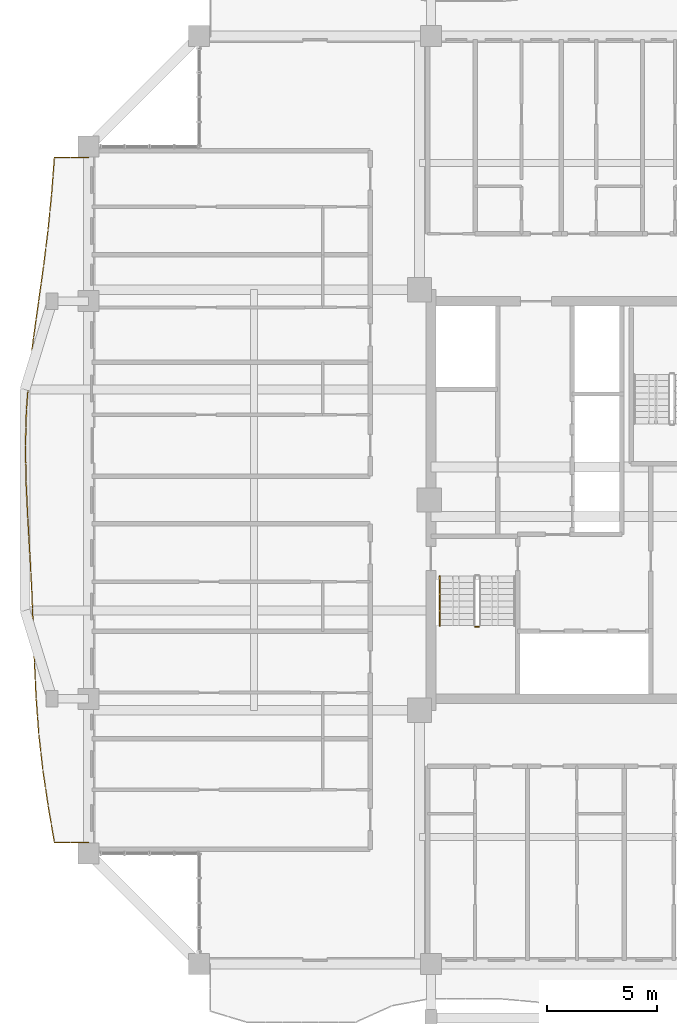
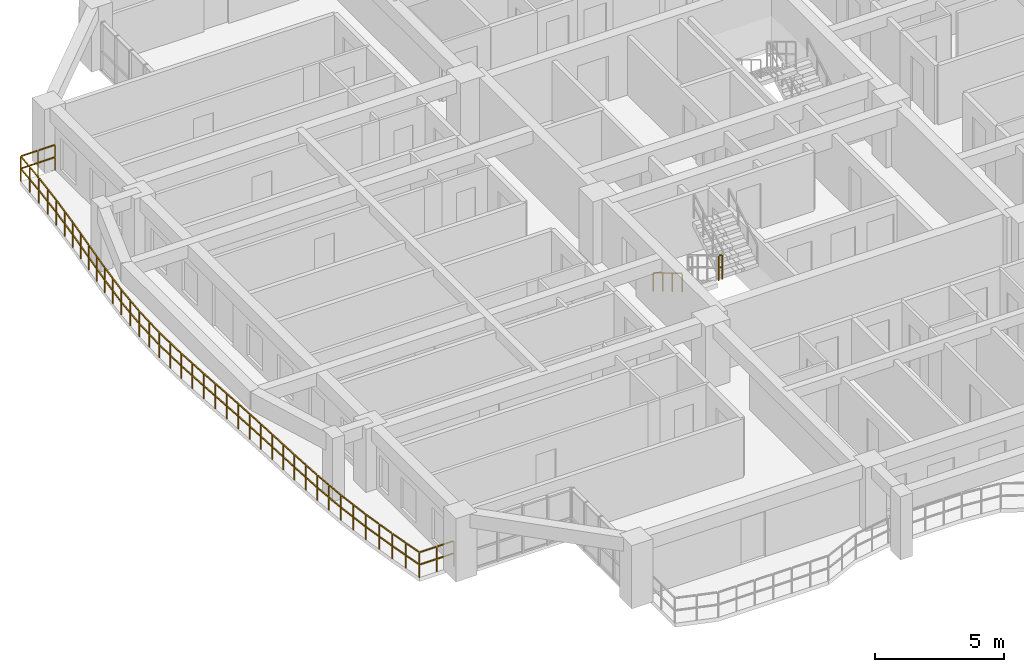
# One storey, part 21 of 24: 3 railings.
"""IFC4 building model written with IfcOpenShell, lengths in metres."""

import ifcopenshell
import ifcopenshell.guid

model = None  # the IFC model being written
_history = None  # IfcOwnerHistory: only IFC2X3 demands one
_inside = {}  # id of a spatial element -> (the spatial element, [elements in it])
_under = {}  # id of a project, library or spatial element -> (it, [spatial elements below it])
_declared = {}  # id of a project -> (the project, [libraries it declares])
_typed = {}  # id of a type object -> (the type object, [elements of that type])
_made_of = {}  # id of a material, layer set ... -> (it, [elements and type objects made of it])


def new_model(schema):
    """Start an empty IFC model of exactly this schema.

    Asked for "IFC4X3", IfcOpenShell would pick the latest addendum, in which some entities
    have other attributes; the version numbers below select the first issue.
    IFC2X3 requires an IfcOwnerHistory on every rooted entity: one is made here for all.
    """
    global model, _history
    if schema == "IFC4X3":
        model = ifcopenshell.file(schema_version=(4, 3, 0, 0))
    else:
        model = ifcopenshell.file(schema=schema)
    _inside.clear()
    _under.clear()
    _declared.clear()
    _typed.clear()
    _made_of.clear()
    _history = None
    if model.schema == "IFC2X3":
        org = make("IfcOrganization", Name="unknown")
        user = make(
            "IfcPersonAndOrganization",
            ThePerson=make("IfcPerson", FamilyName="unknown"),
            TheOrganization=org,
        )
        app = make(
            "IfcApplication",
            ApplicationDeveloper=org,
            Version="unknown",
            ApplicationFullName="unknown",
            ApplicationIdentifier="unknown",
        )
        _history = make(
            "IfcOwnerHistory",
            OwningUser=user,
            OwningApplication=app,
            ChangeAction="ADDED",
            CreationDate=0,
        )
    return model


def make(cls, **values):
    """One entity of the class cls with the attributes given. An attribute that is None is left unset."""
    return model.create_entity(
        cls, **{name: value for name, value in values.items() if value is not None}
    )


def rooted(cls, **values):
    """An entity with a GlobalId (a new one), such as an element, a storey or a relation."""
    return make(cls, GlobalId=ifcopenshell.guid.new(), OwnerHistory=_history, **values)


def si_unit(unit_type, name, prefix=None):
    """IfcSIUnit, for example si_unit("LENGTHUNIT", "METRE", prefix="MILLI")."""
    return make("IfcSIUnit", UnitType=unit_type, Prefix=prefix, Name=name)


def assignment(units):
    """IfcUnitAssignment: the units of a project."""
    return None if units is None else make("IfcUnitAssignment", Units=units)


def point(xyz):
    """IfcCartesianPoint."""
    return None if xyz is None else make("IfcCartesianPoint", Coordinates=xyz)


def direction(xyz):
    """IfcDirection."""
    return None if xyz is None else make("IfcDirection", DirectionRatios=xyz)


def frame(location, z_axis=None, x_axis=None):
    """IfcAxis2Placement3D, a coordinate frame: its origin and axes. An axis left out is left unset."""
    return make(
        "IfcAxis2Placement3D",
        Location=point(location),
        Axis=direction(z_axis),
        RefDirection=direction(x_axis),
    )


def frame_2d(location, x_axis=None):
    """IfcAxis2Placement2D, a coordinate frame in the plane: its origin and x axis."""
    return make(
        "IfcAxis2Placement2D", Location=point(location), RefDirection=direction(x_axis)
    )


def origin():
    """The frame at (0, 0, 0) with its axes left unset."""
    return frame((0.0, 0.0, 0.0))


def origin_2d():
    """The frame at (0, 0) in the plane with its x axis left unset."""
    return frame_2d((0.0, 0.0))


def place(relative_to, where):
    """IfcLocalPlacement: puts the frame where relative to a parent placement (None: the world)."""
    return make(
        "IfcLocalPlacement", PlacementRelTo=relative_to, RelativePlacement=where
    )


def context(
    kind, dimensions, precision=None, world=None, true_north=None, identifier=None
):
    """IfcGeometricRepresentationContext, for example the 3D "Model" context."""
    return make(
        "IfcGeometricRepresentationContext",
        ContextIdentifier=identifier,
        ContextType=kind,
        CoordinateSpaceDimension=dimensions,
        Precision=precision,
        WorldCoordinateSystem=world,
        TrueNorth=true_north,
    )


def subcontext(parent, identifier, kind, view, scale=None):
    """IfcGeometricRepresentationSubContext, for example "Body" below "Model"."""
    return make(
        "IfcGeometricRepresentationSubContext",
        ContextIdentifier=identifier,
        ContextType=kind,
        ParentContext=parent,
        TargetScale=scale,
        TargetView=view,
    )


def project(units=None, contexts=None):
    """IfcProject with its units and contexts."""
    return rooted(
        "IfcProject",
        Name="project",
        RepresentationContexts=contexts,
        UnitsInContext=assignment(units),
    )


def spatial(cls, under=None, at=None, **own):
    """A site, building, storey or space (cls), placed at a placement, below another one or the project."""
    s = rooted(cls, ObjectPlacement=at, **own)
    if under is not None:
        _under.setdefault(under.id(), (under, []))[1].append(s)
    return s


def profile(cls, at=None, kind="AREA", **sizes):
    """A parametric profile (cls). Its sizes go by their IFC names, for example OverallWidth=200.0."""
    return make(cls, ProfileType=kind, Position=at, **sizes)


def rectangle(**sizes):
    """IfcRectangleProfileDef."""
    return profile("IfcRectangleProfileDef", **sizes)


def extrude(swept, where, along, depth):
    """IfcExtrudedAreaSolid: the profile swept, set in the frame where, extruded along a direction by depth."""
    return make(
        "IfcExtrudedAreaSolid",
        SweptArea=swept,
        Position=where,
        ExtrudedDirection=direction(along),
        Depth=depth,
    )


def shape(context_of_items, identifier, shape_type, items):
    """IfcShapeRepresentation: the items that make up one representation, for example the "Body"."""
    return make(
        "IfcShapeRepresentation",
        ContextOfItems=context_of_items,
        RepresentationIdentifier=identifier,
        RepresentationType=shape_type,
        Items=items,
    )


def material(Name=None, Category=None):
    """IfcMaterial."""
    return make("IfcMaterial", Name=Name, Category=Category)


def made_of(thing, what):
    """Note that an element or type object is made of a material, layer set ...; save() writes the relation."""
    if what is not None:
        _made_of.setdefault(what.id(), (what, []))[1].append(thing)
    return thing


def type_object(cls, material=None, **own):
    """A type object (cls), such as IfcWallType, which elements share."""
    return made_of(rooted(cls, **own), material)


def element(
    cls,
    number,
    at=None,
    inside=None,
    cuts=None,
    type_object=None,
    material=None,
    context=None,
    identifier="Body",
    shape_type=None,
    held_by="IfcProductDefinitionShape",
    body=None,
    shapes=None,
    **own,
):
    """One element of the class cls, such as IfcWall. Its Tag is "e" and its number.

    at: its placement. inside: the storey or other place that contains it. cuts: it is an
    opening in that element (IfcRelVoidsElement). A single representation is given by context,
    identifier, shape_type and body (its items); several are given by shapes. held_by: the class
    of the entity that holds the representations. save() writes the other relations.
    """
    e = rooted(cls, Tag="e%d" % number, ObjectPlacement=at, **own)
    if body is not None:
        shapes = [shape(context, identifier, shape_type, body)]
    if shapes is not None:
        e.Representation = make(held_by, Representations=shapes)
    if inside is not None:
        _inside.setdefault(inside.id(), (inside, []))[1].append(e)
    if cuts is not None:
        rooted(
            "IfcRelVoidsElement", RelatingBuildingElement=cuts, RelatedOpeningElement=e
        )
    if type_object is not None:
        _typed.setdefault(type_object.id(), (type_object, []))[1].append(e)
    return made_of(e, material)


def aggregate(whole, parts):
    """IfcRelAggregates: a whole, such as a stair, and the parts it consists of."""
    return rooted("IfcRelAggregates", RelatingObject=whole, RelatedObjects=parts)


def save(model, path):
    """Write the relations noted so far, then the file.

    IfcRelAggregates (storeys below a building ...), IfcRelContainedInSpatialStructure (elements
    in a storey), IfcRelDefinesByType, IfcRelAssociatesMaterial and IfcRelDeclares: one each for
    every whole, place, type object, material and project.
    """
    for whole, parts in _under.values():
        aggregate(whole, parts)
    for where, things in _inside.values():
        rooted(
            "IfcRelContainedInSpatialStructure",
            RelatedElements=things,
            RelatingStructure=where,
        )
    for kind, things in _typed.values():
        rooted("IfcRelDefinesByType", RelatedObjects=things, RelatingType=kind)
    for what, things in _made_of.values():
        rooted("IfcRelAssociatesMaterial", RelatedObjects=things, RelatingMaterial=what)
    for by, libraries in _declared.values():
        rooted("IfcRelDeclares", RelatingContext=by, RelatedDefinitions=libraries)
    model.write(path)


model = new_model("IFC4")

# Units and contexts
model_context = context("Model", 3, precision=1e-05, world=origin(), true_north=direction((0.0, 1.0)))
body_context = subcontext(model_context, "Body", "Model", "MODEL_VIEW")
ifc_project = project(units=[si_unit("LENGTHUNIT", "METRE"), si_unit("AREAUNIT", "SQUARE_METRE"), si_unit("VOLUMEUNIT", "CUBIC_METRE"), si_unit("PLANEANGLEUNIT", "RADIAN"), si_unit("MASSUNIT", "GRAM", prefix="KILO")], contexts=[model_context])

# Site, building, storey
site_placement = place(None, origin())
site = spatial("IfcSite", under=ifc_project, at=site_placement, CompositionType="ELEMENT")
building_placement = place(site_placement, origin())
building = spatial("IfcBuilding", under=site, at=building_placement, Name="Saelheon Loggia Tower", CompositionType="ELEMENT")
storey_placement = place(building_placement, frame((0.0, 0.0, 166.0)))
storey = spatial("IfcBuildingStorey", under=building, at=storey_placement, Name="L52", CompositionType="ELEMENT", Elevation=166.0)

# Railings
ifc_material_1 = material(Name="Architectural Precast Concrete and Laminated Glass Guard", Category="concrete")
railing_type_1 = type_object("IfcRailingType", Name="Guard_Loggia_RL_LOG", PredefinedType="BALUSTRADE", material=ifc_material_1)
railing_1_placement = place(storey_placement, frame((16.0, 42.5, 0.0)))
element("IfcRailing", 1, at=railing_1_placement, inside=storey, type_object=railing_type_1, Name="L52 West Loggia Balustrade", PredefinedType="BALUSTRADE", context=body_context, shape_type="SweptSolid", body=[
    extrude(rectangle(XDim=0.048095703125, YDim=0.048095703125, at=origin_2d()), frame((-0.033203125, 0.0, 1.19580078125), z_axis=(-1.0, 0.0, 0.0), x_axis=(0.0, -1.0, 0.0)), (0.0, 0.0, 1.0), 0.70849609375),
    extrude(rectangle(XDim=0.048095703125, YDim=0.048095703125, at=origin_2d()), frame((-0.033203125, 0.0, 0.60986328125), z_axis=(-1.0, 0.0, 0.0), x_axis=(0.0, -1.0, 0.0)), (0.0, 0.0, 1.0), 0.70849609375),
    extrude(rectangle(XDim=0.048095703125, YDim=0.048095703125, at=origin_2d()), frame((-0.808349609375, 0.0, 1.19580078125), z_axis=(-1.0, 0.0, 0.0), x_axis=(0.0, -1.0, 0.0)), (0.0, 0.0, 1.0), 0.70849609375),
    extrude(rectangle(XDim=0.048095703125, YDim=0.048095703125, at=origin_2d()), frame((-0.808349609375, 0.0, 0.60986328125), z_axis=(-1.0, 0.0, 0.0), x_axis=(0.0, -1.0, 0.0)), (0.0, 0.0, 1.0), 0.70849609375),
    extrude(rectangle(XDim=0.048095703125, YDim=0.048095703125, at=origin_2d()), frame((-1.552490234375, -0.033203125, 1.19580078125), z_axis=(-0.076388448974, -0.997078133781, 0.0), x_axis=(0.997078133781, -0.076388448974, 0.0)), (0.0, 0.0, 1.0), 0.751708984375),
    extrude(rectangle(XDim=0.048095703125, YDim=0.048095703125, at=origin_2d()), frame((-1.552490234375, -0.033203125, 0.60986328125), z_axis=(-0.076388448974, -0.997078133781, 0.0), x_axis=(0.997078133781, -0.076388448974, 0.0)), (0.0, 0.0, 1.0), 0.751708984375),
    extrude(rectangle(XDim=0.048095703125, YDim=0.048095703125, at=origin_2d()), frame((-1.614990234375, -0.848876953125, 1.19580078125), z_axis=(-0.076388448974, -0.997078133781, 0.0), x_axis=(0.997078133781, -0.076388448974, 0.0)), (0.0, 0.0, 1.0), 0.751708984375),
    extrude(rectangle(XDim=0.048095703125, YDim=0.048095703125, at=origin_2d()), frame((-1.614990234375, -0.848876953125, 0.60986328125), z_axis=(-0.076388448974, -0.997078133781, 0.0), x_axis=(0.997078133781, -0.076388448974, 0.0)), (0.0, 0.0, 1.0), 0.751708984375),
    extrude(rectangle(XDim=0.048095703125, YDim=0.048095703125, at=origin_2d()), frame((-1.67822265625, -1.66455078125, 1.19580078125), z_axis=(-0.099164643461, -0.995071039417, 0.0), x_axis=(0.995071039417, -0.099164643461, 0.0)), (0.0, 0.0, 1.0), 0.75341796875),
    extrude(rectangle(XDim=0.048095703125, YDim=0.048095703125, at=origin_2d()), frame((-1.67822265625, -1.66455078125, 0.60986328125), z_axis=(-0.099164643461, -0.995071039417, 0.0), x_axis=(0.995071039417, -0.099164643461, 0.0)), (0.0, 0.0, 1.0), 0.75341796875),
    extrude(rectangle(XDim=0.048095703125, YDim=0.048095703125, at=origin_2d()), frame((-1.759521484375, -2.48046875, 1.19580078125), z_axis=(-0.099164643461, -0.995071039417, 0.0), x_axis=(0.995071039417, -0.099164643461, 0.0)), (0.0, 0.0, 1.0), 0.75341796875),
    extrude(rectangle(XDim=0.048095703125, YDim=0.048095703125, at=origin_2d()), frame((-1.759521484375, -2.48046875, 0.60986328125), z_axis=(-0.099164643461, -0.995071039417, 0.0), x_axis=(0.995071039417, -0.099164643461, 0.0)), (0.0, 0.0, 1.0), 0.75341796875),
    extrude(rectangle(XDim=0.048095703125, YDim=0.048095703125, at=origin_2d()), frame((-1.841796875, -3.296142578125, 1.19580078125), z_axis=(-0.122224972711, -0.992502421179, 0.0), x_axis=(0.992502421179, -0.122224972711, 0.0)), (0.0, 0.0, 1.0), 0.75537109375),
    extrude(rectangle(XDim=0.048095703125, YDim=0.048095703125, at=origin_2d()), frame((-1.841796875, -3.296142578125, 0.60986328125), z_axis=(-0.122224972711, -0.992502421179, 0.0), x_axis=(0.992502421179, -0.122224972711, 0.0)), (0.0, 0.0, 1.0), 0.75537109375),
    extrude(rectangle(XDim=0.048095703125, YDim=0.048095703125, at=origin_2d()), frame((-1.942138671875, -4.112060546875, 1.19580078125), z_axis=(-0.122224972711, -0.992502421179, 0.0), x_axis=(0.992502421179, -0.122224972711, 0.0)), (0.0, 0.0, 1.0), 0.75537109375),
    extrude(rectangle(XDim=0.048095703125, YDim=0.048095703125, at=origin_2d()), frame((-1.942138671875, -4.112060546875, 0.60986328125), z_axis=(-0.122224972711, -0.992502421179, 0.0), x_axis=(0.992502421179, -0.122224972711, 0.0)), (0.0, 0.0, 1.0), 0.75537109375),
    extrude(rectangle(XDim=0.048095703125, YDim=0.048095703125, at=origin_2d()), frame((-2.043212890625, -4.927734375, 1.19580078125), z_axis=(-0.138993727262, -0.990293261505, 0.0), x_axis=(0.990293261505, -0.138993727262, 0.0)), (0.0, 0.0, 1.0), 0.75732421875),
    extrude(rectangle(XDim=0.048095703125, YDim=0.048095703125, at=origin_2d()), frame((-2.043212890625, -4.927734375, 0.60986328125), z_axis=(-0.138993727262, -0.990293261505, 0.0), x_axis=(0.990293261505, -0.138993727262, 0.0)), (0.0, 0.0, 1.0), 0.75732421875),
    extrude(rectangle(XDim=0.048095703125, YDim=0.048095703125, at=origin_2d()), frame((-2.15771484375, -5.743408203125, 1.19580078125), z_axis=(-0.138993727262, -0.990293261505, 0.0), x_axis=(0.990293261505, -0.138993727262, 0.0)), (0.0, 0.0, 1.0), 0.75732421875),
    extrude(rectangle(XDim=0.048095703125, YDim=0.048095703125, at=origin_2d()), frame((-2.15771484375, -5.743408203125, 0.60986328125), z_axis=(-0.138993727262, -0.990293261505, 0.0), x_axis=(0.990293261505, -0.138993727262, 0.0)), (0.0, 0.0, 1.0), 0.75732421875),
    extrude(rectangle(XDim=0.048095703125, YDim=0.048095703125, at=origin_2d()), frame((-2.272216796875, -6.559326171875, 1.19580078125), z_axis=(-0.138848404574, -0.990313647562, 0.0), x_axis=(0.990313647562, -0.138848404574, 0.0)), (0.0, 0.0, 1.0), 0.75732421875),
    extrude(rectangle(XDim=0.048095703125, YDim=0.048095703125, at=origin_2d()), frame((-2.272216796875, -6.559326171875, 0.60986328125), z_axis=(-0.138848404574, -0.990313647562, 0.0), x_axis=(0.990313647562, -0.138848404574, 0.0)), (0.0, 0.0, 1.0), 0.75732421875),
    extrude(rectangle(XDim=0.048095703125, YDim=0.048095703125, at=origin_2d()), frame((-2.386474609375, -7.375, 1.19580078125), z_axis=(-0.138848404574, -0.990313647562, 0.0), x_axis=(0.990313647562, -0.138848404574, 0.0)), (0.0, 0.0, 1.0), 0.75732421875),
    extrude(rectangle(XDim=0.048095703125, YDim=0.048095703125, at=origin_2d()), frame((-2.386474609375, -7.375, 0.60986328125), z_axis=(-0.138848404574, -0.990313647562, 0.0), x_axis=(0.990313647562, -0.138848404574, 0.0)), (0.0, 0.0, 1.0), 0.75732421875),
    extrude(rectangle(XDim=0.048095703125, YDim=0.048095703125, at=origin_2d()), frame((-2.500244140625, -8.19091796875, 1.19580078125), z_axis=(-0.117393022893, -0.993085534169, 0.0), x_axis=(0.993085534169, -0.117393022893, 0.0)), (0.0, 0.0, 1.0), 0.755126953125),
    extrude(rectangle(XDim=0.048095703125, YDim=0.048095703125, at=origin_2d()), frame((-2.500244140625, -8.19091796875, 0.60986328125), z_axis=(-0.117393022893, -0.993085534169, 0.0), x_axis=(0.993085534169, -0.117393022893, 0.0)), (0.0, 0.0, 1.0), 0.755126953125),
    extrude(rectangle(XDim=0.048095703125, YDim=0.048095703125, at=origin_2d()), frame((-2.5966796875, -9.0068359375, 1.19580078125), z_axis=(-0.117393022893, -0.993085534169, 0.0), x_axis=(0.993085534169, -0.117393022893, 0.0)), (0.0, 0.0, 1.0), 0.755126953125),
    extrude(rectangle(XDim=0.048095703125, YDim=0.048095703125, at=origin_2d()), frame((-2.5966796875, -9.0068359375, 0.60986328125), z_axis=(-0.117393022893, -0.993085534169, 0.0), x_axis=(0.993085534169, -0.117393022893, 0.0)), (0.0, 0.0, 1.0), 0.755126953125),
    extrude(rectangle(XDim=0.048095703125, YDim=0.048095703125, at=origin_2d()), frame((-2.691650390625, -9.82275390625, 1.19580078125), z_axis=(-0.07668509002, -0.997055363041, 0.0), x_axis=(0.997055363041, -0.07668509002, 0.0)), (0.0, 0.0, 1.0), 0.751708984375),
    extrude(rectangle(XDim=0.048095703125, YDim=0.048095703125, at=origin_2d()), frame((-2.691650390625, -9.82275390625, 0.60986328125), z_axis=(-0.07668509002, -0.997055363041, 0.0), x_axis=(0.997055363041, -0.07668509002, 0.0)), (0.0, 0.0, 1.0), 0.751708984375),
    extrude(rectangle(XDim=0.048095703125, YDim=0.048095703125, at=origin_2d()), frame((-2.75439453125, -10.638427734375, 1.19580078125), z_axis=(-0.07668509002, -0.997055363041, 0.0), x_axis=(0.997055363041, -0.07668509002, 0.0)), (0.0, 0.0, 1.0), 0.751708984375),
    extrude(rectangle(XDim=0.048095703125, YDim=0.048095703125, at=origin_2d()), frame((-2.75439453125, -10.638427734375, 0.60986328125), z_axis=(-0.07668509002, -0.997055363041, 0.0), x_axis=(0.997055363041, -0.07668509002, 0.0)), (0.0, 0.0, 1.0), 0.751708984375),
    extrude(rectangle(XDim=0.048095703125, YDim=0.048095703125, at=origin_2d()), frame((-2.815673828125, -11.454345703125, 1.19580078125), z_axis=(-0.027077766049, -0.999633330069, 0.0), x_axis=(0.999633330069, -0.027077766049, 0.0)), (0.0, 0.0, 1.0), 0.74951171875),
    extrude(rectangle(XDim=0.048095703125, YDim=0.048095703125, at=origin_2d()), frame((-2.815673828125, -11.454345703125, 0.60986328125), z_axis=(-0.027077766049, -0.999633330069, 0.0), x_axis=(0.999633330069, -0.027077766049, 0.0)), (0.0, 0.0, 1.0), 0.74951171875),
    extrude(rectangle(XDim=0.048095703125, YDim=0.048095703125, at=origin_2d()), frame((-2.837646484375, -12.27001953125, 1.19580078125), z_axis=(-0.027077766049, -0.999633330069, 0.0), x_axis=(0.999633330069, -0.027077766049, 0.0)), (0.0, 0.0, 1.0), 0.74951171875),
    extrude(rectangle(XDim=0.048095703125, YDim=0.048095703125, at=origin_2d()), frame((-2.837646484375, -12.27001953125, 0.60986328125), z_axis=(-0.027077766049, -0.999633330069, 0.0), x_axis=(0.999633330069, -0.027077766049, 0.0)), (0.0, 0.0, 1.0), 0.74951171875),
    extrude(rectangle(XDim=0.048095703125, YDim=0.048095703125, at=origin_2d()), frame((-2.8583984375, -13.085693359375, 1.19580078125), z_axis=(0.017803552147, -0.999841504205, 0.0), x_axis=(0.999841504205, 0.017803552147, 0.0)), (0.0, 0.0, 1.0), 0.74951171875),
    extrude(rectangle(XDim=0.048095703125, YDim=0.048095703125, at=origin_2d()), frame((-2.8583984375, -13.085693359375, 0.60986328125), z_axis=(0.017803552147, -0.999841504205, 0.0), x_axis=(0.999841504205, 0.017803552147, 0.0)), (0.0, 0.0, 1.0), 0.74951171875),
    extrude(rectangle(XDim=0.048095703125, YDim=0.048095703125, at=origin_2d()), frame((-2.84375, -13.901611328125, 1.19580078125), z_axis=(0.017803552147, -0.999841504205, 0.0), x_axis=(0.999841504205, 0.017803552147, 0.0)), (0.0, 0.0, 1.0), 0.74951171875),
    extrude(rectangle(XDim=0.048095703125, YDim=0.048095703125, at=origin_2d()), frame((-2.84375, -13.901611328125, 0.60986328125), z_axis=(0.017803552147, -0.999841504205, 0.0), x_axis=(0.999841504205, 0.017803552147, 0.0)), (0.0, 0.0, 1.0), 0.74951171875),
    extrude(rectangle(XDim=0.048095703125, YDim=0.048095703125, at=origin_2d()), frame((-2.828369140625, -14.71728515625, 1.19580078125), z_axis=(0.047373442202, -0.998877248201, 0.0), x_axis=(0.998877248201, 0.047373442202, 0.0)), (0.0, 0.0, 1.0), 0.75048828125),
    extrude(rectangle(XDim=0.048095703125, YDim=0.048095703125, at=origin_2d()), frame((-2.828369140625, -14.71728515625, 0.60986328125), z_axis=(0.047373442202, -0.998877248201, 0.0), x_axis=(0.998877248201, 0.047373442202, 0.0)), (0.0, 0.0, 1.0), 0.75048828125),
    extrude(rectangle(XDim=0.048095703125, YDim=0.048095703125, at=origin_2d()), frame((-2.78955078125, -15.533203125, 1.19580078125), z_axis=(0.047373442202, -0.998877248201, 0.0), x_axis=(0.998877248201, 0.047373442202, 0.0)), (0.0, 0.0, 1.0), 0.75048828125),
    extrude(rectangle(XDim=0.048095703125, YDim=0.048095703125, at=origin_2d()), frame((-2.78955078125, -15.533203125, 0.60986328125), z_axis=(0.047373442202, -0.998877248201, 0.0), x_axis=(0.998877248201, 0.047373442202, 0.0)), (0.0, 0.0, 1.0), 0.75048828125),
    extrude(rectangle(XDim=0.048095703125, YDim=0.048095703125, at=origin_2d()), frame((-2.75048828125, -16.34912109375, 1.19580078125), z_axis=(0.057066808054, -0.998370361849, 0.0), x_axis=(0.998370361849, 0.057066808054, 0.0)), (0.0, 0.0, 1.0), 0.750732421875),
    extrude(rectangle(XDim=0.048095703125, YDim=0.048095703125, at=origin_2d()), frame((-2.75048828125, -16.34912109375, 0.60986328125), z_axis=(0.057066808054, -0.998370361849, 0.0), x_axis=(0.998370361849, 0.057066808054, 0.0)), (0.0, 0.0, 1.0), 0.750732421875),
    extrude(rectangle(XDim=0.048095703125, YDim=0.048095703125, at=origin_2d()), frame((-2.703857421875, -17.164794921875, 1.19580078125), z_axis=(0.057066808054, -0.998370361849, 0.0), x_axis=(0.998370361849, 0.057066808054, 0.0)), (0.0, 0.0, 1.0), 0.750732421875),
    extrude(rectangle(XDim=0.048095703125, YDim=0.048095703125, at=origin_2d()), frame((-2.703857421875, -17.164794921875, 0.60986328125), z_axis=(0.057066808054, -0.998370361849, 0.0), x_axis=(0.998370361849, 0.057066808054, 0.0)), (0.0, 0.0, 1.0), 0.750732421875),
    extrude(rectangle(XDim=0.048095703125, YDim=0.048095703125, at=origin_2d()), frame((-2.657470703125, -17.980712890625, 1.19580078125), z_axis=(0.051264440906, -0.998685114087, 0.0), x_axis=(0.998685114087, 0.051264440906, 0.0)), (0.0, 0.0, 1.0), 0.750244140625),
    extrude(rectangle(XDim=0.048095703125, YDim=0.048095703125, at=origin_2d()), frame((-2.657470703125, -17.980712890625, 0.60986328125), z_axis=(0.051264440906, -0.998685114087, 0.0), x_axis=(0.998685114087, 0.051264440906, 0.0)), (0.0, 0.0, 1.0), 0.750244140625),
    extrude(rectangle(XDim=0.048095703125, YDim=0.048095703125, at=origin_2d()), frame((-2.61572265625, -18.79638671875, 1.19580078125), z_axis=(0.051264440906, -0.998685114087, 0.0), x_axis=(0.998685114087, 0.051264440906, 0.0)), (0.0, 0.0, 1.0), 0.750244140625),
    extrude(rectangle(XDim=0.048095703125, YDim=0.048095703125, at=origin_2d()), frame((-2.61572265625, -18.79638671875, 0.60986328125), z_axis=(0.051264440906, -0.998685114087, 0.0), x_axis=(0.998685114087, 0.051264440906, 0.0)), (0.0, 0.0, 1.0), 0.750244140625),
    extrude(rectangle(XDim=0.048095703125, YDim=0.048095703125, at=origin_2d()), frame((-2.57421875, -19.612060546875, 1.19580078125), z_axis=(0.039920270214, -0.999202868304, 0.0), x_axis=(0.999202868304, 0.039920270214, 0.0)), (0.0, 0.0, 1.0), 0.75),
    extrude(rectangle(XDim=0.048095703125, YDim=0.048095703125, at=origin_2d()), frame((-2.57421875, -19.612060546875, 0.60986328125), z_axis=(0.039920270214, -0.999202868304, 0.0), x_axis=(0.999202868304, 0.039920270214, 0.0)), (0.0, 0.0, 1.0), 0.75),
    extrude(rectangle(XDim=0.048095703125, YDim=0.048095703125, at=origin_2d()), frame((-2.54150390625, -20.427978515625, 1.19580078125), z_axis=(0.039920270214, -0.999202868304, 0.0), x_axis=(0.999202868304, 0.039920270214, 0.0)), (0.0, 0.0, 1.0), 0.75),
    extrude(rectangle(XDim=0.048095703125, YDim=0.048095703125, at=origin_2d()), frame((-2.54150390625, -20.427978515625, 0.60986328125), z_axis=(0.039920270214, -0.999202868304, 0.0), x_axis=(0.999202868304, 0.039920270214, 0.0)), (0.0, 0.0, 1.0), 0.75),
    extrude(rectangle(XDim=0.048095703125, YDim=0.048095703125, at=origin_2d()), frame((-2.509033203125, -21.24365234375, 1.19580078125), z_axis=(0.035440836595, -0.999371776218, 0.0), x_axis=(0.999371776218, 0.035440836595, 0.0)), (0.0, 0.0, 1.0), 0.749755859375),
    extrude(rectangle(XDim=0.048095703125, YDim=0.048095703125, at=origin_2d()), frame((-2.509033203125, -21.24365234375, 0.60986328125), z_axis=(0.035440836595, -0.999371776218, 0.0), x_axis=(0.999371776218, 0.035440836595, 0.0)), (0.0, 0.0, 1.0), 0.749755859375),
    extrude(rectangle(XDim=0.048095703125, YDim=0.048095703125, at=origin_2d()), frame((-2.480224609375, -22.0595703125, 1.19580078125), z_axis=(0.035440836595, -0.999371776218, 0.0), x_axis=(0.999371776218, 0.035440836595, 0.0)), (0.0, 0.0, 1.0), 0.749755859375),
    extrude(rectangle(XDim=0.048095703125, YDim=0.048095703125, at=origin_2d()), frame((-2.480224609375, -22.0595703125, 0.60986328125), z_axis=(0.035440836595, -0.999371776218, 0.0), x_axis=(0.999371776218, 0.035440836595, 0.0)), (0.0, 0.0, 1.0), 0.749755859375),
    extrude(rectangle(XDim=0.048095703125, YDim=0.048095703125, at=origin_2d()), frame((-2.450927734375, -22.875244140625, 1.19580078125), z_axis=(0.04633652921, -0.99892588617, 0.0), x_axis=(0.99892588617, 0.04633652921, 0.0)), (0.0, 0.0, 1.0), 0.750244140625),
    extrude(rectangle(XDim=0.048095703125, YDim=0.048095703125, at=origin_2d()), frame((-2.450927734375, -22.875244140625, 0.60986328125), z_axis=(0.04633652921, -0.99892588617, 0.0), x_axis=(0.99892588617, 0.04633652921, 0.0)), (0.0, 0.0, 1.0), 0.750244140625),
    extrude(rectangle(XDim=0.048095703125, YDim=0.048095703125, at=origin_2d()), frame((-2.4130859375, -23.69091796875, 1.19580078125), z_axis=(0.04633652921, -0.99892588617, 0.0), x_axis=(0.99892588617, 0.04633652921, 0.0)), (0.0, 0.0, 1.0), 0.750244140625),
    extrude(rectangle(XDim=0.048095703125, YDim=0.048095703125, at=origin_2d()), frame((-2.4130859375, -23.69091796875, 0.60986328125), z_axis=(0.04633652921, -0.99892588617, 0.0), x_axis=(0.99892588617, 0.04633652921, 0.0)), (0.0, 0.0, 1.0), 0.750244140625),
    extrude(rectangle(XDim=0.048095703125, YDim=0.048095703125, at=origin_2d()), frame((-2.374267578125, -24.5068359375, 1.19580078125), z_axis=(0.074162999853, -0.997246132834, 0.0), x_axis=(0.997246132834, 0.074162999853, 0.0)), (0.0, 0.0, 1.0), 0.75146484375),
    extrude(rectangle(XDim=0.048095703125, YDim=0.048095703125, at=origin_2d()), frame((-2.374267578125, -24.5068359375, 0.60986328125), z_axis=(0.074162999853, -0.997246132834, 0.0), x_axis=(0.997246132834, 0.074162999853, 0.0)), (0.0, 0.0, 1.0), 0.75146484375),
    extrude(rectangle(XDim=0.048095703125, YDim=0.048095703125, at=origin_2d()), frame((-2.3134765625, -25.322509765625, 1.19580078125), z_axis=(0.074162999853, -0.997246132834, 0.0), x_axis=(0.997246132834, 0.074162999853, 0.0)), (0.0, 0.0, 1.0), 0.75146484375),
    extrude(rectangle(XDim=0.048095703125, YDim=0.048095703125, at=origin_2d()), frame((-2.3134765625, -25.322509765625, 0.60986328125), z_axis=(0.074162999853, -0.997246132834, 0.0), x_axis=(0.997246132834, 0.074162999853, 0.0)), (0.0, 0.0, 1.0), 0.75146484375),
    extrude(rectangle(XDim=0.048095703125, YDim=0.048095703125, at=origin_2d()), frame((-2.251708984375, -26.13818359375, 1.19580078125), z_axis=(0.111671794523, -0.993745143539, 0.0), x_axis=(0.993745143539, 0.111671794523, 0.0)), (0.0, 0.0, 1.0), 0.75439453125),
    extrude(rectangle(XDim=0.048095703125, YDim=0.048095703125, at=origin_2d()), frame((-2.251708984375, -26.13818359375, 0.60986328125), z_axis=(0.111671794523, -0.993745143539, 0.0), x_axis=(0.993745143539, 0.111671794523, 0.0)), (0.0, 0.0, 1.0), 0.75439453125),
    extrude(rectangle(XDim=0.048095703125, YDim=0.048095703125, at=origin_2d()), frame((-2.159912109375, -26.9541015625, 1.19580078125), z_axis=(0.111671794523, -0.993745143539, 0.0), x_axis=(0.993745143539, 0.111671794523, 0.0)), (0.0, 0.0, 1.0), 0.75439453125),
    extrude(rectangle(XDim=0.048095703125, YDim=0.048095703125, at=origin_2d()), frame((-2.159912109375, -26.9541015625, 0.60986328125), z_axis=(0.111671794523, -0.993745143539, 0.0), x_axis=(0.993745143539, 0.111671794523, 0.0)), (0.0, 0.0, 1.0), 0.75439453125),
    extrude(rectangle(XDim=0.048095703125, YDim=0.048095703125, at=origin_2d()), frame((-2.067138671875, -27.769775390625, 1.19580078125), z_axis=(0.147262012595, -0.989097517764, 0.0), x_axis=(0.989097517764, 0.147262012595, 0.0)), (0.0, 0.0, 1.0), 0.75830078125),
    extrude(rectangle(XDim=0.048095703125, YDim=0.048095703125, at=origin_2d()), frame((-2.067138671875, -27.769775390625, 0.60986328125), z_axis=(0.147262012595, -0.989097517764, 0.0), x_axis=(0.989097517764, 0.147262012595, 0.0)), (0.0, 0.0, 1.0), 0.75830078125),
    extrude(rectangle(XDim=0.048095703125, YDim=0.048095703125, at=origin_2d()), frame((-1.945556640625, -28.58544921875, 1.19580078125), z_axis=(0.147262012595, -0.989097517764, 0.0), x_axis=(0.989097517764, 0.147262012595, 0.0)), (0.0, 0.0, 1.0), 0.75830078125),
    extrude(rectangle(XDim=0.048095703125, YDim=0.048095703125, at=origin_2d()), frame((-1.945556640625, -28.58544921875, 0.60986328125), z_axis=(0.147262012595, -0.989097517764, 0.0), x_axis=(0.989097517764, 0.147262012595, 0.0)), (0.0, 0.0, 1.0), 0.75830078125),
    extrude(rectangle(XDim=0.048095703125, YDim=0.048095703125, at=origin_2d()), frame((-1.823486328125, -29.401123046875, 1.19580078125), z_axis=(0.168583084277, -0.985687447265, 0.0), x_axis=(0.985687447265, 0.168583084277, 0.0)), (0.0, 0.0, 1.0), 0.76123046875),
    extrude(rectangle(XDim=0.048095703125, YDim=0.048095703125, at=origin_2d()), frame((-1.823486328125, -29.401123046875, 0.60986328125), z_axis=(0.168583084277, -0.985687447265, 0.0), x_axis=(0.985687447265, 0.168583084277, 0.0)), (0.0, 0.0, 1.0), 0.76123046875),
    extrude(rectangle(XDim=0.048095703125, YDim=0.048095703125, at=origin_2d()), frame((-1.68408203125, -30.217041015625, 1.19580078125), z_axis=(0.168583084277, -0.985687447265, 0.0), x_axis=(0.985687447265, 0.168583084277, 0.0)), (0.0, 0.0, 1.0), 0.76123046875),
    extrude(rectangle(XDim=0.048095703125, YDim=0.048095703125, at=origin_2d()), frame((-1.68408203125, -30.217041015625, 0.60986328125), z_axis=(0.168583084277, -0.985687447265, 0.0), x_axis=(0.985687447265, 0.168583084277, 0.0)), (0.0, 0.0, 1.0), 0.76123046875),
    extrude(rectangle(XDim=0.048095703125, YDim=0.048095703125, at=origin_2d()), frame((-1.516845703125, -31.0, 1.19580078125), z_axis=(1.0, 0.0, 0.0), x_axis=(0.0, 1.0, 0.0)), (0.0, 0.0, 1.0), 0.70849609375),
    extrude(rectangle(XDim=0.048095703125, YDim=0.048095703125, at=origin_2d()), frame((-1.516845703125, -31.0, 0.60986328125), z_axis=(1.0, 0.0, 0.0), x_axis=(0.0, 1.0, 0.0)), (0.0, 0.0, 1.0), 0.70849609375),
    extrude(rectangle(XDim=0.048095703125, YDim=0.048095703125, at=origin_2d()), frame((-0.74169921875, -31.0, 1.19580078125), z_axis=(1.0, 0.0, 0.0), x_axis=(0.0, 1.0, 0.0)), (0.0, 0.0, 1.0), 0.70849609375),
    extrude(rectangle(XDim=0.048095703125, YDim=0.048095703125, at=origin_2d()), frame((-0.74169921875, -31.0, 0.60986328125), z_axis=(1.0, 0.0, 0.0), x_axis=(0.0, 1.0, 0.0)), (0.0, 0.0, 1.0), 0.70849609375),
    extrude(rectangle(XDim=0.0419921875, YDim=0.0419921875, at=origin_2d()), origin(), (0.0, 0.0, 1.0), 1.16796875),
    extrude(rectangle(XDim=0.0419921875, YDim=0.0419921875, at=origin_2d()), frame((-0.77490234375, 0.0, 0.0)), (0.0, 0.0, 1.0), 1.16796875),
    extrude(rectangle(XDim=0.0419921875, YDim=0.0419921875, at=origin_2d()), frame((-1.550048828125, 0.0, 0.0)), (0.0, 0.0, 1.0), 1.16796875),
    extrude(rectangle(XDim=0.0419921875, YDim=0.0419921875, at=origin_2d()), frame((-1.612548828125, -0.81591796875, 0.0)), (0.0, 0.0, 1.0), 1.16796875),
    extrude(rectangle(XDim=0.0419921875, YDim=0.0419921875, at=origin_2d()), frame((-1.675048828125, -1.631591796875, 0.0)), (0.0, 0.0, 1.0), 1.16796875),
    extrude(rectangle(XDim=0.0419921875, YDim=0.0419921875, at=origin_2d()), frame((-1.75634765625, -2.447265625, 0.0)), (0.0, 0.0, 1.0), 1.16796875),
    extrude(rectangle(XDim=0.0419921875, YDim=0.0419921875, at=origin_2d()), frame((-1.837646484375, -3.26318359375, 0.0)), (0.0, 0.0, 1.0), 1.16796875),
    extrude(rectangle(XDim=0.0419921875, YDim=0.0419921875, at=origin_2d()), frame((-1.93798828125, -4.0791015625, 0.0)), (0.0, 0.0, 1.0), 1.16796875),
    extrude(rectangle(XDim=0.0419921875, YDim=0.0419921875, at=origin_2d()), frame((-2.03857421875, -4.894775390625, 0.0)), (0.0, 0.0, 1.0), 1.16796875),
    extrude(rectangle(XDim=0.0419921875, YDim=0.0419921875, at=origin_2d()), frame((-2.153076171875, -5.71044921875, 0.0)), (0.0, 0.0, 1.0), 1.16796875),
    extrude(rectangle(XDim=0.0419921875, YDim=0.0419921875, at=origin_2d()), frame((-2.267578125, -6.5263671875, 0.0)), (0.0, 0.0, 1.0), 1.16796875),
    extrude(rectangle(XDim=0.0419921875, YDim=0.0419921875, at=origin_2d()), frame((-2.3818359375, -7.34228515625, 0.0)), (0.0, 0.0, 1.0), 1.16796875),
    extrude(rectangle(XDim=0.0419921875, YDim=0.0419921875, at=origin_2d()), frame((-2.496337890625, -8.157958984375, 0.0)), (0.0, 0.0, 1.0), 1.16796875),
    extrude(rectangle(XDim=0.0419921875, YDim=0.0419921875, at=origin_2d()), frame((-2.5927734375, -8.9736328125, 0.0)), (0.0, 0.0, 1.0), 1.16796875),
    extrude(rectangle(XDim=0.0419921875, YDim=0.0419921875, at=origin_2d()), frame((-2.689208984375, -9.78955078125, 0.0)), (0.0, 0.0, 1.0), 1.16796875),
    extrude(rectangle(XDim=0.0419921875, YDim=0.0419921875, at=origin_2d()), frame((-2.751953125, -10.60546875, 0.0)), (0.0, 0.0, 1.0), 1.16796875),
    extrude(rectangle(XDim=0.0419921875, YDim=0.0419921875, at=origin_2d()), frame((-2.814697265625, -11.421142578125, 0.0)), (0.0, 0.0, 1.0), 1.16796875),
    extrude(rectangle(XDim=0.0419921875, YDim=0.0419921875, at=origin_2d()), frame((-2.8369140625, -12.23681640625, 0.0)), (0.0, 0.0, 1.0), 1.16796875),
    extrude(rectangle(XDim=0.0419921875, YDim=0.0419921875, at=origin_2d()), frame((-2.85888671875, -13.052490234375, 0.0)), (0.0, 0.0, 1.0), 1.16796875),
    extrude(rectangle(XDim=0.0419921875, YDim=0.0419921875, at=origin_2d()), frame((-2.84423828125, -13.8681640625, 0.0)), (0.0, 0.0, 1.0), 1.16796875),
    extrude(rectangle(XDim=0.0419921875, YDim=0.0419921875, at=origin_2d()), frame((-2.829833984375, -14.68408203125, 0.0)), (0.0, 0.0, 1.0), 1.16796875),
    extrude(rectangle(XDim=0.0419921875, YDim=0.0419921875, at=origin_2d()), frame((-2.791015625, -15.5, 0.0)), (0.0, 0.0, 1.0), 1.16796875),
    extrude(rectangle(XDim=0.0419921875, YDim=0.0419921875, at=origin_2d()), frame((-2.75244140625, -16.31591796875, 0.0)), (0.0, 0.0, 1.0), 1.16796875),
    extrude(rectangle(XDim=0.0419921875, YDim=0.0419921875, at=origin_2d()), frame((-2.705810546875, -17.1318359375, 0.0)), (0.0, 0.0, 1.0), 1.16796875),
    extrude(rectangle(XDim=0.0419921875, YDim=0.0419921875, at=origin_2d()), frame((-2.6591796875, -17.947509765625, 0.0)), (0.0, 0.0, 1.0), 1.16796875),
    extrude(rectangle(XDim=0.0419921875, YDim=0.0419921875, at=origin_2d()), frame((-2.6171875, -18.76318359375, 0.0)), (0.0, 0.0, 1.0), 1.16796875),
    extrude(rectangle(XDim=0.0419921875, YDim=0.0419921875, at=origin_2d()), frame((-2.575439453125, -19.578857421875, 0.0)), (0.0, 0.0, 1.0), 1.16796875),
    extrude(rectangle(XDim=0.0419921875, YDim=0.0419921875, at=origin_2d()), frame((-2.54296875, -20.39453125, 0.0)), (0.0, 0.0, 1.0), 1.16796875),
    extrude(rectangle(XDim=0.0419921875, YDim=0.0419921875, at=origin_2d()), frame((-2.51025390625, -21.21044921875, 0.0)), (0.0, 0.0, 1.0), 1.16796875),
    extrude(rectangle(XDim=0.0419921875, YDim=0.0419921875, at=origin_2d()), frame((-2.4814453125, -22.0263671875, 0.0)), (0.0, 0.0, 1.0), 1.16796875),
    extrude(rectangle(XDim=0.0419921875, YDim=0.0419921875, at=origin_2d()), frame((-2.452392578125, -22.842041015625, 0.0)), (0.0, 0.0, 1.0), 1.16796875),
    extrude(rectangle(XDim=0.0419921875, YDim=0.0419921875, at=origin_2d()), frame((-2.41455078125, -23.65771484375, 0.0)), (0.0, 0.0, 1.0), 1.16796875),
    extrude(rectangle(XDim=0.0419921875, YDim=0.0419921875, at=origin_2d()), frame((-2.376708984375, -24.4736328125, 0.0)), (0.0, 0.0, 1.0), 1.16796875),
    extrude(rectangle(XDim=0.0419921875, YDim=0.0419921875, at=origin_2d()), frame((-2.31591796875, -25.28955078125, 0.0)), (0.0, 0.0, 1.0), 1.16796875),
    extrude(rectangle(XDim=0.0419921875, YDim=0.0419921875, at=origin_2d()), frame((-2.25537109375, -26.105224609375, 0.0)), (0.0, 0.0, 1.0), 1.16796875),
    extrude(rectangle(XDim=0.0419921875, YDim=0.0419921875, at=origin_2d()), frame((-2.16357421875, -26.9208984375, 0.0)), (0.0, 0.0, 1.0), 1.16796875),
    extrude(rectangle(XDim=0.0419921875, YDim=0.0419921875, at=origin_2d()), frame((-2.072021484375, -27.73681640625, 0.0)), (0.0, 0.0, 1.0), 1.16796875),
    extrude(rectangle(XDim=0.0419921875, YDim=0.0419921875, at=origin_2d()), frame((-1.95068359375, -28.552734375, 0.0)), (0.0, 0.0, 1.0), 1.16796875),
    extrude(rectangle(XDim=0.0419921875, YDim=0.0419921875, at=origin_2d()), frame((-1.8291015625, -29.368408203125, 0.0)), (0.0, 0.0, 1.0), 1.16796875),
    extrude(rectangle(XDim=0.0419921875, YDim=0.0419921875, at=origin_2d()), frame((-1.689453125, -30.18408203125, 0.0)), (0.0, 0.0, 1.0), 1.16796875),
    extrude(rectangle(XDim=0.0419921875, YDim=0.0419921875, at=origin_2d()), frame((-1.550048828125, -31.0, 0.0)), (0.0, 0.0, 1.0), 1.16796875),
    extrude(rectangle(XDim=0.0419921875, YDim=0.0419921875, at=origin_2d()), frame((-0.77490234375, -31.0, 0.0)), (0.0, 0.0, 1.0), 1.16796875),
    extrude(rectangle(XDim=0.0419921875, YDim=0.0419921875, at=origin_2d()), frame((0.0, -31.0, 0.0)), (0.0, 0.0, 1.0), 1.16796875),
])
ifc_material_2 = material(Name="Galvanised Steel S275 Stairwell Guardrail", Category="steel")
railing_type_2 = type_object("IfcRailingType", Name="Guard_StairWell_RL_STG", PredefinedType="GUARDRAIL", material=ifc_material_2)
railing_2_placement = place(storey_placement, frame((33.510009765625, 21.260009765625, 1.5)))
element("IfcRailing", 2, at=railing_2_placement, inside=storey, type_object=railing_type_2, Name="L52 ST1 stair guard 2", PredefinedType="GUARDRAIL", context=body_context, shape_type="SweptSolid", body=[
    extrude(rectangle(XDim=0.048095703125, YDim=0.048095703125, at=origin_2d()), frame((0.033203125, 0.0, 1.17578125), z_axis=(1.0, 0.0, 0.0), x_axis=(0.0, 1.0, 0.0)), (0.0, 0.0, 1.0), 0.093505859375),
    extrude(rectangle(XDim=0.048095703125, YDim=0.048095703125, at=origin_2d()), frame((0.033203125, 0.0, 0.60009765625), z_axis=(1.0, 0.0, 0.0), x_axis=(0.0, 1.0, 0.0)), (0.0, 0.0, 1.0), 0.093505859375),
    extrude(rectangle(XDim=0.0419921875, YDim=0.0419921875, at=origin_2d()), origin(), (0.0, 0.0, 1.0), 1.14794921875),
    extrude(rectangle(XDim=0.0419921875, YDim=0.0419921875, at=origin_2d()), frame((0.159912109375, 0.0, 0.0)), (0.0, 0.0, 1.0), 1.14794921875),
])
ifc_material_3 = material(Name="Stainless Steel 304 Tubular Handrail", Category="steel")
railing_type_3 = type_object("IfcRailingType", Name="Handrail_Stair_RL_HR1", PredefinedType="HANDRAIL", material=ifc_material_3)
railing_3_placement = place(storey_placement, frame((31.89990234375, 23.550048828125, 0.166748046875)))
element("IfcRailing", 3, at=railing_3_placement, inside=storey, type_object=railing_type_3, Name="L52 ST1 stair handrail 1", PredefinedType="HANDRAIL", context=body_context, shape_type="SweptSolid", body=[
    extrude(rectangle(XDim=0.048095703125, YDim=0.048095703125, at=origin_2d()), frame((0.0, -0.028564453125, 0.892822265625), z_axis=(0.0, -0.859305625298, 0.511462454469), x_axis=(1.0, 0.0, 0.0)), (0.0, 0.0, 1.0), 0.802490234375),
    extrude(rectangle(XDim=0.048095703125, YDim=0.048095703125, at=origin_2d()), frame((0.0, -0.775146484375, 1.337158203125), z_axis=(0.0, -0.859305625298, 0.511462454469), x_axis=(1.0, 0.0, 0.0)), (0.0, 0.0, 1.0), 0.802490234375),
    extrude(rectangle(XDim=0.048095703125, YDim=0.048095703125, at=origin_2d()), frame((0.0, -1.52197265625, 1.78173828125), z_axis=(0.0, -0.859305625298, 0.511462454469), x_axis=(1.0, 0.0, 0.0)), (0.0, 0.0, 1.0), 0.802490234375),
    extrude(rectangle(XDim=0.0419921875, YDim=0.0419921875, at=origin_2d()), origin(), (0.0, 0.0, 1.0), 0.847900390625),
    extrude(rectangle(XDim=0.0419921875, YDim=0.0419921875, at=origin_2d()), frame((0.0, -0.74658203125, 0.4443359375)), (0.0, 0.0, 1.0), 0.847900390625),
    extrude(rectangle(XDim=0.0419921875, YDim=0.0419921875, at=origin_2d()), frame((0.0, -1.493408203125, 0.888916015625)), (0.0, 0.0, 1.0), 0.847900390625),
    extrude(rectangle(XDim=0.0419921875, YDim=0.0419921875, at=origin_2d()), frame((0.0, -2.239990234375, 1.333251953125)), (0.0, 0.0, 1.0), 0.847900390625),
])

save(model, "model.ifc")
